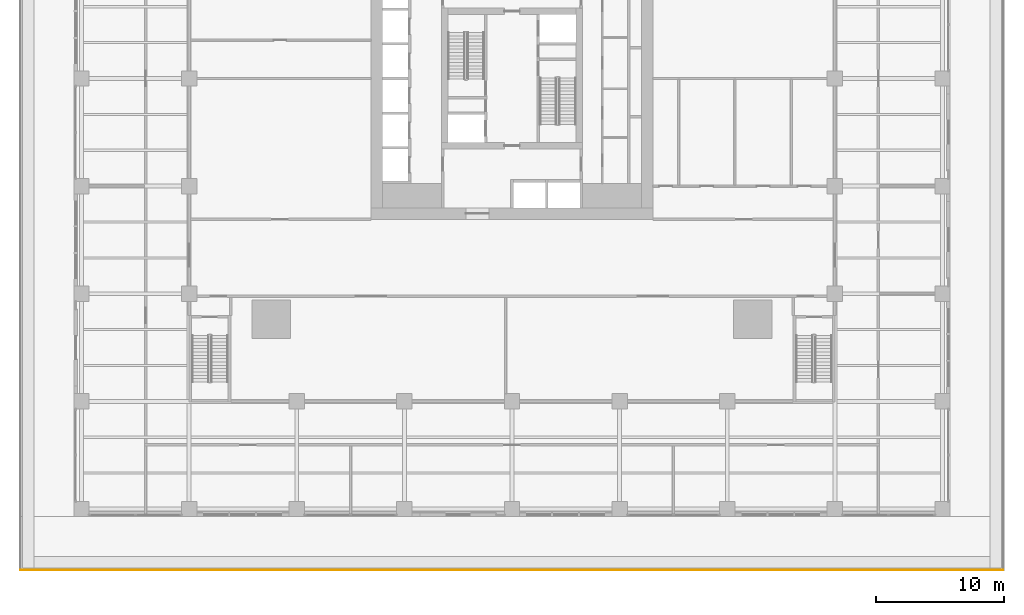
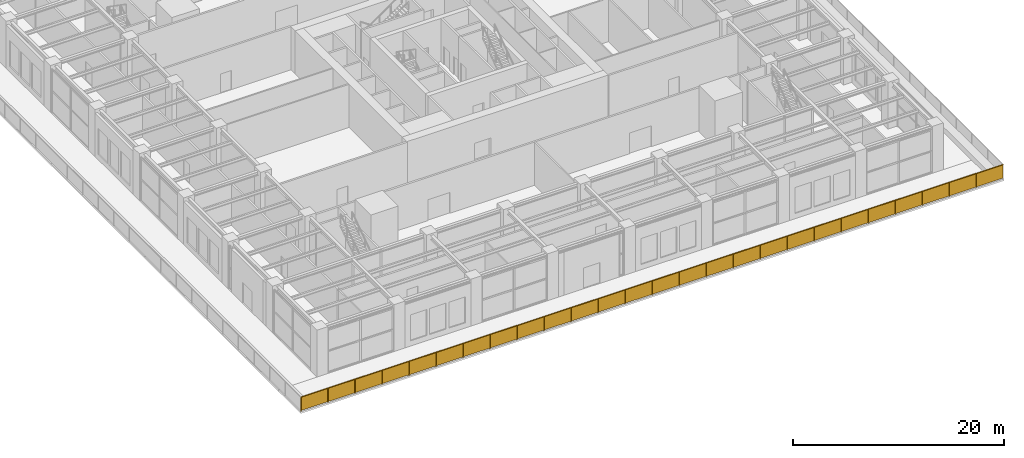
# One storey, part 30 of 36: 1 railing.
"""IFC4 building model written with IfcOpenShell, lengths in metres."""

from ifc_helpers import new_model, si_unit, direction, frame, origin, origin_2d, place, context, subcontext, project, spatial, rectangle, extrude, material, type_object, element, save


model = new_model("IFC4")

# Units and contexts
model_context = context("Model", 3, precision=1e-05, world=origin(), true_north=direction((0.0, 1.0)))
body_context = subcontext(model_context, "Body", "Model", "MODEL_VIEW")
ifc_project = project(units=[si_unit("LENGTHUNIT", "METRE"), si_unit("AREAUNIT", "SQUARE_METRE"), si_unit("VOLUMEUNIT", "CUBIC_METRE"), si_unit("PLANEANGLEUNIT", "RADIAN"), si_unit("MASSUNIT", "GRAM", prefix="KILO")], contexts=[model_context])

# Site, building, storey
site_placement = place(None, origin())
site = spatial("IfcSite", under=ifc_project, at=site_placement, CompositionType="ELEMENT")
building_placement = place(site_placement, origin())
building = spatial("IfcBuilding", under=site, at=building_placement, Name="Khepri Terraces", CompositionType="ELEMENT")
storey_placement = place(building_placement, frame((0.0, 0.0, 16.800048828125)))
storey = spatial("IfcBuildingStorey", under=building, at=storey_placement, Name="L03", CompositionType="ELEMENT", Elevation=16.800048828125)

# Railing
ifc_material = material(Name="Stainless steel grade 316", Category="steel")
railing_type = type_object("IfcRailingType", Name="GRD-TERR-1700", PredefinedType="GUARDRAIL", material=ifc_material)
railing_placement = place(storey_placement, frame((38.35009765625, -38.35009765625, 0.0)))
element("IfcRailing", 1, at=railing_placement, inside=storey, type_object=railing_type, Name="Terrace guard L03", PredefinedType="GUARDRAIL", context=body_context, shape_type="SweptSolid", body=[
    extrude(rectangle(XDim=0.050048828125, YDim=0.06005859375, at=origin_2d()), frame((0.0, 0.0, 1.669921875), z_axis=(-1.0, 0.0, 0.0), x_axis=(0.0, -1.0, 0.0)), (0.0, 0.0, 1.0), 76.7001953125),
    extrude(rectangle(XDim=2.89990234375, YDim=0.011962890625, at=origin_2d()), frame((-1.47509765625, 0.0, 0.10009765625), z_axis=(0.0, 0.0, 1.0), x_axis=(-1.0, 0.0, 0.0)), (0.0, 0.0, 1.0), 1.539794921875),
    extrude(rectangle(XDim=2.89990234375, YDim=0.011962890625, at=origin_2d()), frame((-4.425048828125, 0.0, 0.10009765625), z_axis=(0.0, 0.0, 1.0), x_axis=(-1.0, 0.0, 0.0)), (0.0, 0.0, 1.0), 1.539794921875),
    extrude(rectangle(XDim=2.89990234375, YDim=0.011962890625, at=origin_2d()), frame((-7.375, 0.0, 0.10009765625), z_axis=(0.0, 0.0, 1.0), x_axis=(-1.0, 0.0, 0.0)), (0.0, 0.0, 1.0), 1.539794921875),
    extrude(rectangle(XDim=2.89990234375, YDim=0.011962890625, at=origin_2d()), frame((-10.324951171875, 0.0, 0.10009765625), z_axis=(0.0, 0.0, 1.0), x_axis=(-1.0, 0.0, 0.0)), (0.0, 0.0, 1.0), 1.539794921875),
    extrude(rectangle(XDim=2.89990234375, YDim=0.011962890625, at=origin_2d()), frame((-13.275146484375, 0.0, 0.10009765625), z_axis=(0.0, 0.0, 1.0), x_axis=(-1.0, 0.0, 0.0)), (0.0, 0.0, 1.0), 1.539794921875),
    extrude(rectangle(XDim=2.89990234375, YDim=0.011962890625, at=origin_2d()), frame((-16.22509765625, 0.0, 0.10009765625), z_axis=(0.0, 0.0, 1.0), x_axis=(-1.0, 0.0, 0.0)), (0.0, 0.0, 1.0), 1.539794921875),
    extrude(rectangle(XDim=2.89990234375, YDim=0.011962890625, at=origin_2d()), frame((-19.175048828125, 0.0, 0.10009765625), z_axis=(0.0, 0.0, 1.0), x_axis=(-1.0, 0.0, 0.0)), (0.0, 0.0, 1.0), 1.539794921875),
    extrude(rectangle(XDim=2.89990234375, YDim=0.011962890625, at=origin_2d()), frame((-22.125, 0.0, 0.10009765625), z_axis=(0.0, 0.0, 1.0), x_axis=(-1.0, 0.0, 0.0)), (0.0, 0.0, 1.0), 1.539794921875),
    extrude(rectangle(XDim=2.89990234375, YDim=0.011962890625, at=origin_2d()), frame((-25.074951171875, 0.0, 0.10009765625), z_axis=(0.0, 0.0, 1.0), x_axis=(-1.0, 0.0, 0.0)), (0.0, 0.0, 1.0), 1.539794921875),
    extrude(rectangle(XDim=2.89990234375, YDim=0.011962890625, at=origin_2d()), frame((-28.025146484375, 0.0, 0.10009765625), z_axis=(0.0, 0.0, 1.0), x_axis=(-1.0, 0.0, 0.0)), (0.0, 0.0, 1.0), 1.539794921875),
    extrude(rectangle(XDim=2.89990234375, YDim=0.011962890625, at=origin_2d()), frame((-30.97509765625, 0.0, 0.10009765625), z_axis=(0.0, 0.0, 1.0), x_axis=(-1.0, 0.0, 0.0)), (0.0, 0.0, 1.0), 1.539794921875),
    extrude(rectangle(XDim=2.89990234375, YDim=0.011962890625, at=origin_2d()), frame((-33.925048828125, 0.0, 0.10009765625), z_axis=(0.0, 0.0, 1.0), x_axis=(-1.0, 0.0, 0.0)), (0.0, 0.0, 1.0), 1.539794921875),
    extrude(rectangle(XDim=2.89990234375, YDim=0.011962890625, at=origin_2d()), frame((-36.875, 0.0, 0.10009765625), z_axis=(0.0, 0.0, 1.0), x_axis=(-1.0, 0.0, 0.0)), (0.0, 0.0, 1.0), 1.539794921875),
    extrude(rectangle(XDim=2.89990234375, YDim=0.011962890625, at=origin_2d()), frame((-39.8251953125, 0.0, 0.10009765625), z_axis=(0.0, 0.0, 1.0), x_axis=(-1.0, 0.0, 0.0)), (0.0, 0.0, 1.0), 1.539794921875),
    extrude(rectangle(XDim=2.89990234375, YDim=0.011962890625, at=origin_2d()), frame((-42.775146484375, 0.0, 0.10009765625), z_axis=(0.0, 0.0, 1.0), x_axis=(-1.0, 0.0, 0.0)), (0.0, 0.0, 1.0), 1.539794921875),
    extrude(rectangle(XDim=2.89990234375, YDim=0.011962890625, at=origin_2d()), frame((-45.72509765625, 0.0, 0.10009765625), z_axis=(0.0, 0.0, 1.0), x_axis=(-1.0, 0.0, 0.0)), (0.0, 0.0, 1.0), 1.539794921875),
    extrude(rectangle(XDim=2.89990234375, YDim=0.011962890625, at=origin_2d()), frame((-48.675048828125, 0.0, 0.10009765625), z_axis=(0.0, 0.0, 1.0), x_axis=(-1.0, 0.0, 0.0)), (0.0, 0.0, 1.0), 1.539794921875),
    extrude(rectangle(XDim=2.89990234375, YDim=0.011962890625, at=origin_2d()), frame((-51.625244140625, 0.0, 0.10009765625), z_axis=(0.0, 0.0, 1.0), x_axis=(-1.0, 0.0, 0.0)), (0.0, 0.0, 1.0), 1.539794921875),
    extrude(rectangle(XDim=2.89990234375, YDim=0.011962890625, at=origin_2d()), frame((-54.5751953125, 0.0, 0.10009765625), z_axis=(0.0, 0.0, 1.0), x_axis=(-1.0, 0.0, 0.0)), (0.0, 0.0, 1.0), 1.539794921875),
    extrude(rectangle(XDim=2.89990234375, YDim=0.011962890625, at=origin_2d()), frame((-57.525146484375, 0.0, 0.10009765625), z_axis=(0.0, 0.0, 1.0), x_axis=(-1.0, 0.0, 0.0)), (0.0, 0.0, 1.0), 1.539794921875),
    extrude(rectangle(XDim=2.89990234375, YDim=0.011962890625, at=origin_2d()), frame((-60.47509765625, 0.0, 0.10009765625), z_axis=(0.0, 0.0, 1.0), x_axis=(-1.0, 0.0, 0.0)), (0.0, 0.0, 1.0), 1.539794921875),
    extrude(rectangle(XDim=2.89990234375, YDim=0.011962890625, at=origin_2d()), frame((-63.425048828125, 0.0, 0.10009765625), z_axis=(0.0, 0.0, 1.0), x_axis=(-1.0, 0.0, 0.0)), (0.0, 0.0, 1.0), 1.539794921875),
    extrude(rectangle(XDim=2.89990234375, YDim=0.011962890625, at=origin_2d()), frame((-66.375244140625, 0.0, 0.10009765625), z_axis=(0.0, 0.0, 1.0), x_axis=(-1.0, 0.0, 0.0)), (0.0, 0.0, 1.0), 1.539794921875),
    extrude(rectangle(XDim=2.89990234375, YDim=0.011962890625, at=origin_2d()), frame((-69.3251953125, 0.0, 0.10009765625), z_axis=(0.0, 0.0, 1.0), x_axis=(-1.0, 0.0, 0.0)), (0.0, 0.0, 1.0), 1.539794921875),
    extrude(rectangle(XDim=2.89990234375, YDim=0.011962890625, at=origin_2d()), frame((-72.275146484375, 0.0, 0.10009765625), z_axis=(0.0, 0.0, 1.0), x_axis=(-1.0, 0.0, 0.0)), (0.0, 0.0, 1.0), 1.539794921875),
    extrude(rectangle(XDim=2.89990234375, YDim=0.011962890625, at=origin_2d()), frame((-75.22509765625, 0.0, 0.10009765625), z_axis=(0.0, 0.0, 1.0), x_axis=(-1.0, 0.0, 0.0)), (0.0, 0.0, 1.0), 1.539794921875),
    extrude(rectangle(XDim=0.050048828125, YDim=0.050048828125, at=origin_2d()), frame((-2.949951171875, 0.0, 0.0)), (0.0, 0.0, 1.0), 1.639892578125),
    extrude(rectangle(XDim=0.050048828125, YDim=0.050048828125, at=origin_2d()), frame((-5.89990234375, 0.0, 0.0)), (0.0, 0.0, 1.0), 1.639892578125),
    extrude(rectangle(XDim=0.050048828125, YDim=0.050048828125, at=origin_2d()), frame((-8.85009765625, 0.0, 0.0)), (0.0, 0.0, 1.0), 1.639892578125),
    extrude(rectangle(XDim=0.050048828125, YDim=0.050048828125, at=origin_2d()), frame((-11.800048828125, 0.0, 0.0)), (0.0, 0.0, 1.0), 1.639892578125),
    extrude(rectangle(XDim=0.050048828125, YDim=0.050048828125, at=origin_2d()), frame((-14.75, 0.0, 0.0)), (0.0, 0.0, 1.0), 1.639892578125),
    extrude(rectangle(XDim=0.050048828125, YDim=0.050048828125, at=origin_2d()), frame((-17.699951171875, 0.0, 0.0)), (0.0, 0.0, 1.0), 1.639892578125),
    extrude(rectangle(XDim=0.050048828125, YDim=0.050048828125, at=origin_2d()), frame((-20.650146484375, 0.0, 0.0)), (0.0, 0.0, 1.0), 1.639892578125),
    extrude(rectangle(XDim=0.050048828125, YDim=0.050048828125, at=origin_2d()), frame((-23.60009765625, 0.0, 0.0)), (0.0, 0.0, 1.0), 1.639892578125),
    extrude(rectangle(XDim=0.050048828125, YDim=0.050048828125, at=origin_2d()), frame((-26.550048828125, 0.0, 0.0)), (0.0, 0.0, 1.0), 1.639892578125),
    extrude(rectangle(XDim=0.050048828125, YDim=0.050048828125, at=origin_2d()), frame((-29.5, 0.0, 0.0)), (0.0, 0.0, 1.0), 1.639892578125),
    extrude(rectangle(XDim=0.050048828125, YDim=0.050048828125, at=origin_2d()), frame((-32.4501953125, 0.0, 0.0)), (0.0, 0.0, 1.0), 1.639892578125),
    extrude(rectangle(XDim=0.050048828125, YDim=0.050048828125, at=origin_2d()), frame((-35.400146484375, 0.0, 0.0)), (0.0, 0.0, 1.0), 1.639892578125),
    extrude(rectangle(XDim=0.050048828125, YDim=0.050048828125, at=origin_2d()), frame((-38.35009765625, 0.0, 0.0)), (0.0, 0.0, 1.0), 1.639892578125),
    extrude(rectangle(XDim=0.050048828125, YDim=0.050048828125, at=origin_2d()), frame((-41.300048828125, 0.0, 0.0)), (0.0, 0.0, 1.0), 1.639892578125),
    extrude(rectangle(XDim=0.050048828125, YDim=0.050048828125, at=origin_2d()), frame((-44.25, 0.0, 0.0)), (0.0, 0.0, 1.0), 1.639892578125),
    extrude(rectangle(XDim=0.050048828125, YDim=0.050048828125, at=origin_2d()), frame((-47.2001953125, 0.0, 0.0)), (0.0, 0.0, 1.0), 1.639892578125),
    extrude(rectangle(XDim=0.050048828125, YDim=0.050048828125, at=origin_2d()), frame((-50.150146484375, 0.0, 0.0)), (0.0, 0.0, 1.0), 1.639892578125),
    extrude(rectangle(XDim=0.050048828125, YDim=0.050048828125, at=origin_2d()), frame((-53.10009765625, 0.0, 0.0)), (0.0, 0.0, 1.0), 1.639892578125),
    extrude(rectangle(XDim=0.050048828125, YDim=0.050048828125, at=origin_2d()), frame((-56.050048828125, 0.0, 0.0)), (0.0, 0.0, 1.0), 1.639892578125),
    extrude(rectangle(XDim=0.050048828125, YDim=0.050048828125, at=origin_2d()), frame((-59.000244140625, 0.0, 0.0)), (0.0, 0.0, 1.0), 1.639892578125),
    extrude(rectangle(XDim=0.050048828125, YDim=0.050048828125, at=origin_2d()), frame((-61.9501953125, 0.0, 0.0)), (0.0, 0.0, 1.0), 1.639892578125),
    extrude(rectangle(XDim=0.050048828125, YDim=0.050048828125, at=origin_2d()), frame((-64.900146484375, 0.0, 0.0)), (0.0, 0.0, 1.0), 1.639892578125),
    extrude(rectangle(XDim=0.050048828125, YDim=0.050048828125, at=origin_2d()), frame((-67.85009765625, 0.0, 0.0)), (0.0, 0.0, 1.0), 1.639892578125),
    extrude(rectangle(XDim=0.050048828125, YDim=0.050048828125, at=origin_2d()), frame((-70.80029296875, 0.0, 0.0)), (0.0, 0.0, 1.0), 1.639892578125),
    extrude(rectangle(XDim=0.050048828125, YDim=0.050048828125, at=origin_2d()), frame((-73.750244140625, 0.0, 0.0)), (0.0, 0.0, 1.0), 1.639892578125),
    extrude(rectangle(XDim=0.050048828125, YDim=0.050048828125, at=origin_2d()), frame((-76.7001953125, 0.0, 0.0)), (0.0, 0.0, 1.0), 1.639892578125),
])

save(model, "model.ifc")
